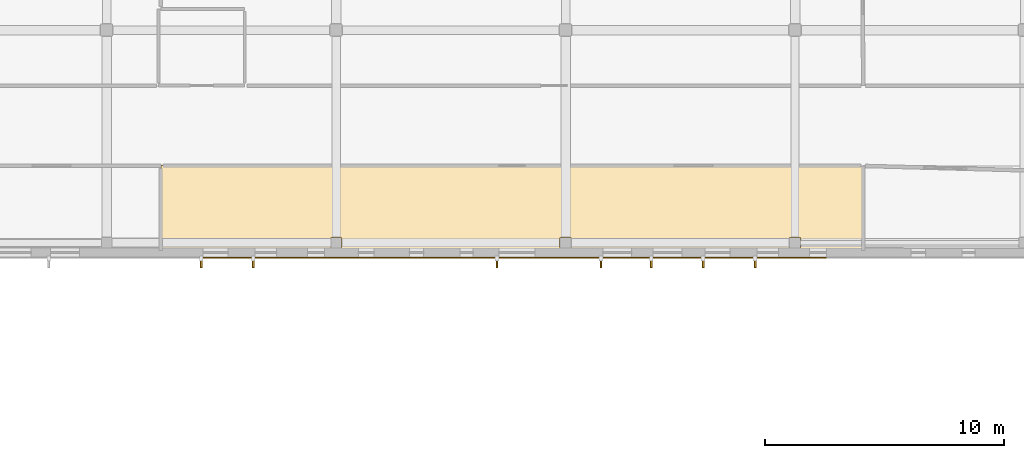
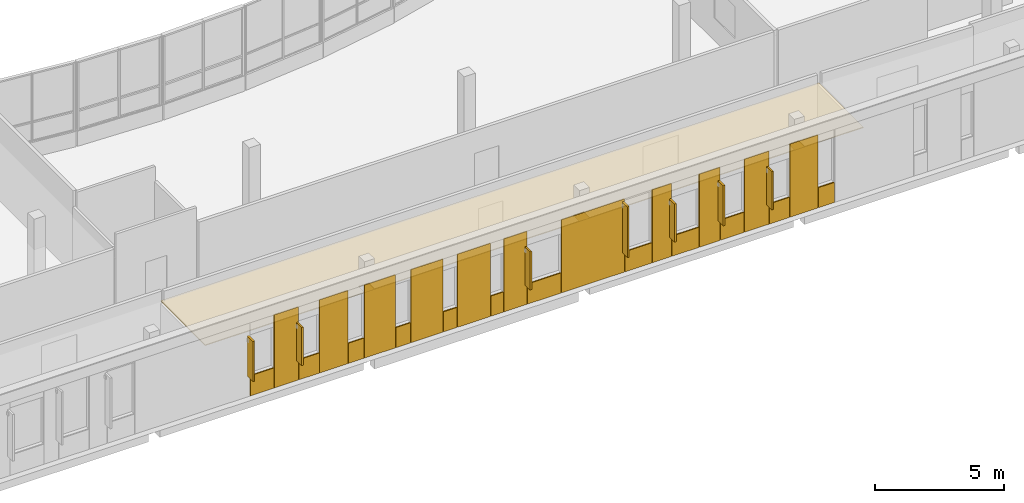
# One storey, part 69 of 84: 24 coverings, 7 shading devices.
"""IFC4 building model written with IfcOpenShell, lengths in metres."""

from ifc_helpers import new_model, si_unit, direction, frame, origin, origin_2d, place, context, subcontext, project, spatial, polyline, rectangle, outline, extrude, material, layer, layer_set, type_object, element, save


model = new_model("IFC4")

# Units and contexts
model_context = context("Model", 3, precision=1e-05, world=origin(), true_north=direction((0.0, 1.0)))
body_context = subcontext(model_context, "Body", "Model", "MODEL_VIEW")
ifc_project = project(units=[si_unit("LENGTHUNIT", "METRE"), si_unit("AREAUNIT", "SQUARE_METRE"), si_unit("VOLUMEUNIT", "CUBIC_METRE"), si_unit("PLANEANGLEUNIT", "RADIAN"), si_unit("MASSUNIT", "GRAM", prefix="KILO")], contexts=[model_context])

# Site, building, storey
site_placement = place(None, origin())
site = spatial("IfcSite", under=ifc_project, at=site_placement, CompositionType="ELEMENT")
building_placement = place(site_placement, origin())
building = spatial("IfcBuilding", under=site, at=building_placement, Name="Mzevani Central Library", CompositionType="ELEMENT")
storey_placement = place(building_placement, frame((0.0, 0.0, 5.39990234375)))
storey = spatial("IfcBuildingStorey", under=building, at=storey_placement, Name="L01", CompositionType="ELEMENT", Elevation=5.39990234375)

# Shading devices
ifc_material_1 = material(Name="Anodized architectural bronze")
shading_device_type = type_object("IfcShadingDeviceType", Name="Anodized Bronze Vertical Sun-Breaker Fin", PredefinedType="USERDEFINED", material=ifc_material_1)
shading_device_1_placement = place(storey_placement, frame((100.72998046875, 42.27490234375, 0.9501953125), z_axis=(0.0, 0.0, 1.0), x_axis=(-1.0, 0.0, 0.0)))
element("IfcShadingDevice", 1, at=shading_device_1_placement, inside=storey, type_object=shading_device_type, Name="L01 V1 Solar Fin (56)", ObjectType="SOLAR FIN", PredefinedType="USERDEFINED", context=body_context, shape_type="SweptSolid", body=[
    extrude(rectangle(XDim=0.080078125, YDim=0.449951171875, at=origin_2d()), origin(), (0.0, 0.0, 1.0), 1.800048828125),
])
shading_device_2_placement = place(storey_placement, frame((98.554931640625, 42.27490234375, 0.9501953125), z_axis=(0.0, 0.0, 1.0), x_axis=(-1.0, 0.0, 0.0)))
element("IfcShadingDevice", 2, at=shading_device_2_placement, inside=storey, type_object=shading_device_type, Name="L01 V1 Solar Fin (57)", ObjectType="SOLAR FIN", PredefinedType="USERDEFINED", context=body_context, shape_type="SweptSolid", body=[
    extrude(rectangle(XDim=0.080078125, YDim=0.449951171875, at=origin_2d()), origin(), (0.0, 0.0, 1.0), 1.89990234375),
])
shading_device_3_placement = place(storey_placement, frame((96.3798828125, 42.27490234375, 0.9501953125), z_axis=(0.0, 0.0, 1.0), x_axis=(-1.0, 0.0, 0.0)))
element("IfcShadingDevice", 3, at=shading_device_3_placement, inside=storey, type_object=shading_device_type, Name="L01 V1 Solar Fin (58)", ObjectType="SOLAR FIN", PredefinedType="USERDEFINED", context=body_context, shape_type="SweptSolid", body=[
    extrude(rectangle(XDim=0.080078125, YDim=0.449951171875, at=origin_2d()), origin(), (0.0, 0.0, 1.0), 1.800048828125),
])
shading_device_4_placement = place(storey_placement, frame((94.280029296875, 42.27490234375, 0.9501953125), z_axis=(0.0, 0.0, 1.0), x_axis=(-1.0, 0.0, 0.0)))
element("IfcShadingDevice", 4, at=shading_device_4_placement, inside=storey, type_object=shading_device_type, Name="L01 V1 Solar Fin (59)", ObjectType="SOLAR FIN", PredefinedType="USERDEFINED", context=body_context, shape_type="SweptSolid", body=[
    extrude(rectangle(XDim=0.080078125, YDim=0.449951171875, at=origin_2d()), origin(), (0.0, 0.0, 1.0), 2.39990234375),
])
for number, where, z_axis, x_axis, name in (
    (5, (89.929931640625, 42.27490234375, 0.9501953125), (0.0, 0.0, 1.0), (-1.0, 0.0, 0.0), "L01 V1 Solar Fin (60)"),
    (6, (79.72998046875, 42.27490234375, 0.9501953125), (0.0, 0.0, 1.0), (-1.0, 0.0, 0.0), "L01 V1 Solar Fin (65)"),
):
    element("IfcShadingDevice", number, at=place(storey_placement, frame(where, z_axis=z_axis, x_axis=x_axis)), inside=storey, type_object=shading_device_type, Name=name, ObjectType="SOLAR FIN", PredefinedType="USERDEFINED", context=body_context, shape_type="SweptSolid", body=[
        extrude(rectangle(XDim=0.080078125, YDim=0.449951171875, at=origin_2d()), origin(), (0.0, 0.0, 1.0), 1.800048828125),
    ])
shading_device_5_placement = place(storey_placement, frame((77.554931640625, 42.27490234375, 0.9501953125), z_axis=(0.0, 0.0, 1.0), x_axis=(-1.0, 0.0, 0.0)))
element("IfcShadingDevice", 7, at=shading_device_5_placement, inside=storey, type_object=shading_device_type, Name="L01 V1 Solar Fin (66)", ObjectType="SOLAR FIN", PredefinedType="USERDEFINED", context=body_context, shape_type="SweptSolid", body=[
    extrude(rectangle(XDim=0.080078125, YDim=0.449951171875, at=origin_2d()), origin(), (0.0, 0.0, 1.0), 1.89990234375),
])

# Coverings
ifc_material_2 = material(Name="Limestone ashlar cladding", Category="masonry")
ifc_layer_1 = layer(ifc_material_2, 0.050048828125, Name="Limestone Ashlar Spandrel Cladding")
ifc_layer_set_1 = layer_set([ifc_layer_1], Name="Limestone ashlar cladding")
covering_type_1 = type_object("IfcCoveringType", Name="Limestone Ashlar Spandrel Cladding", PredefinedType="CLADDING", material=ifc_layer_set_1)
covering_1_placement = place(storey_placement, frame((103.360107421875, 42.47607421875, 0.0), z_axis=(0.0, 0.0, 1.0), x_axis=(-1.0, 0.0, 0.0)))
element("IfcCovering", 8, at=covering_1_placement, inside=storey, type_object=covering_type_1, Name="L01 Warm-White Sill Cladding 29 (EW4-V1-L01-0006)", PredefinedType="CLADDING", context=body_context, shape_type="SweptSolid", body=[
    extrude(rectangle(XDim=0.699951171875, YDim=0.050048828125, at=origin_2d()), origin(), (0.0, 0.0, 1.0), 0.949951171875),
])
covering_2_placement = place(storey_placement, frame((102.360107421875, 42.47607421875, 0.0), z_axis=(0.0, 0.0, 1.0), x_axis=(-1.0, 0.0, 0.0)))
element("IfcCovering", 9, at=covering_2_placement, inside=storey, type_object=covering_type_1, Name="L01 Warm-White Facade Pier 30 (EW4-V1-L01-0006)", PredefinedType="CLADDING", context=body_context, shape_type="SweptSolid", body=[
    extrude(rectangle(XDim=1.260009765625, YDim=0.050048828125, at=origin_2d()), origin(), (0.0, 0.0, 1.0), 3.449951171875),
])
covering_3_placement = place(storey_placement, frame((101.260009765625, 42.47607421875, 0.0), z_axis=(0.0, 0.0, 1.0), x_axis=(-1.0, 0.0, 0.0)))
element("IfcCovering", 10, at=covering_3_placement, inside=storey, type_object=covering_type_1, Name="L01 Warm-White Sill Cladding 31 (EW4-V1-L01-0006)", PredefinedType="CLADDING", context=body_context, shape_type="SweptSolid", body=[
    extrude(rectangle(XDim=0.89990234375, YDim=0.050048828125, at=origin_2d()), origin(), (0.0, 0.0, 1.0), 0.949951171875),
])
covering_4_placement = place(storey_placement, frame((100.24755859375, 42.47607421875, 0.0), z_axis=(0.0, 0.0, 1.0), x_axis=(-1.0, 0.0, 0.0)))
element("IfcCovering", 11, at=covering_4_placement, inside=storey, type_object=covering_type_1, Name="L01 Warm-White Facade Pier 32 (EW4-V1-L01-0006)", PredefinedType="CLADDING", context=body_context, shape_type="SweptSolid", body=[
    extrude(rectangle(XDim=1.0849609375, YDim=0.050048828125, at=origin_2d()), origin(), (0.0, 0.0, 1.0), 3.449951171875),
])
covering_5_placement = place(storey_placement, frame((99.159912109375, 42.47607421875, 0.0), z_axis=(0.0, 0.0, 1.0), x_axis=(-1.0, 0.0, 0.0)))
element("IfcCovering", 12, at=covering_5_placement, inside=storey, type_object=covering_type_1, Name="L01 Warm-White Sill Cladding 33 (EW4-V1-L01-0006)", PredefinedType="CLADDING", context=body_context, shape_type="SweptSolid", body=[
    extrude(rectangle(XDim=1.050048828125, YDim=0.050048828125, at=origin_2d()), origin(), (0.0, 0.0, 1.0), 0.949951171875),
])
covering_6_placement = place(storey_placement, frame((98.1474609375, 42.47607421875, 0.0), z_axis=(0.0, 0.0, 1.0), x_axis=(-1.0, 0.0, 0.0)))
element("IfcCovering", 13, at=covering_6_placement, inside=storey, type_object=covering_type_1, Name="L01 Warm-White Facade Pier 34 (EW4-V1-L01-0006)", PredefinedType="CLADDING", context=body_context, shape_type="SweptSolid", body=[
    extrude(rectangle(XDim=0.93505859375, YDim=0.050048828125, at=origin_2d()), origin(), (0.0, 0.0, 1.0), 3.449951171875),
])
covering_7_placement = place(storey_placement, frame((97.06005859375, 42.47607421875, 0.0), z_axis=(0.0, 0.0, 1.0), x_axis=(-1.0, 0.0, 0.0)))
element("IfcCovering", 14, at=covering_7_placement, inside=storey, type_object=covering_type_1, Name="L01 Warm-White Sill Cladding 35 (EW4-V1-L01-0006)", PredefinedType="CLADDING", context=body_context, shape_type="SweptSolid", body=[
    extrude(rectangle(XDim=1.199951171875, YDim=0.050048828125, at=origin_2d()), origin(), (0.0, 0.0, 1.0), 0.949951171875),
])
covering_8_placement = place(storey_placement, frame((96.010009765625, 42.47607421875, 0.0), z_axis=(0.0, 0.0, 1.0), x_axis=(-1.0, 0.0, 0.0)))
element("IfcCovering", 15, at=covering_8_placement, inside=storey, type_object=covering_type_1, Name="L01 Warm-White Facade Pier 36 (EW4-V1-L01-0006)", PredefinedType="CLADDING", context=body_context, shape_type="SweptSolid", body=[
    extrude(rectangle(XDim=0.860107421875, YDim=0.050048828125, at=origin_2d()), origin(), (0.0, 0.0, 1.0), 3.449951171875),
])
covering_9_placement = place(storey_placement, frame((94.9599609375, 42.47607421875, 0.0), z_axis=(0.0, 0.0, 1.0), x_axis=(-1.0, 0.0, 0.0)))
element("IfcCovering", 16, at=covering_9_placement, inside=storey, type_object=covering_type_1, Name="L01 Warm-White Sill Cladding 37 (EW4-V1-L01-0006)", PredefinedType="CLADDING", context=body_context, shape_type="SweptSolid", body=[
    extrude(rectangle(XDim=1.199951171875, YDim=0.050048828125, at=origin_2d()), origin(), (0.0, 0.0, 1.0), 0.949951171875),
])
covering_10_placement = place(storey_placement, frame((92.93505859375, 42.47607421875, 0.0), z_axis=(0.0, 0.0, 1.0), x_axis=(-1.0, 0.0, 0.0)))
element("IfcCovering", 17, at=covering_10_placement, inside=storey, type_object=covering_type_1, Name="L01 Warm-White Facade Pier 38 (EW4-V1-L01-0006)", PredefinedType="CLADDING", context=body_context, shape_type="SweptSolid", body=[
    extrude(rectangle(XDim=2.81005859375, YDim=0.050048828125, at=origin_2d()), origin(), (0.0, 0.0, 1.0), 3.449951171875),
])
covering_11_placement = place(storey_placement, frame((90.760009765625, 42.47607421875, 0.0), z_axis=(0.0, 0.0, 1.0), x_axis=(-1.0, 0.0, 0.0)))
element("IfcCovering", 18, at=covering_11_placement, inside=storey, type_object=covering_type_1, Name="L01 Warm-White Sill Cladding 39 (EW4-V1-L01-0006)", PredefinedType="CLADDING", context=body_context, shape_type="SweptSolid", body=[
    extrude(rectangle(XDim=1.5, YDim=0.050048828125, at=origin_2d()), origin(), (0.0, 0.0, 1.0), 0.949951171875),
])
covering_12_placement = place(storey_placement, frame((89.472412109375, 42.47607421875, 0.0), z_axis=(0.0, 0.0, 1.0), x_axis=(-1.0, 0.0, 0.0)))
element("IfcCovering", 19, at=covering_12_placement, inside=storey, type_object=covering_type_1, Name="L01 Warm-White Facade Pier 40 (EW4-V1-L01-0006)", PredefinedType="CLADDING", context=body_context, shape_type="SweptSolid", body=[
    extrude(rectangle(XDim=1.034912109375, YDim=0.050048828125, at=origin_2d()), origin(), (0.0, 0.0, 1.0), 3.449951171875),
])
covering_13_placement = place(storey_placement, frame((88.659912109375, 42.47607421875, 0.0), z_axis=(0.0, 0.0, 1.0), x_axis=(-1.0, 0.0, 0.0)))
element("IfcCovering", 20, at=covering_13_placement, inside=storey, type_object=covering_type_1, Name="L01 Warm-White Sill Cladding 41 (EW4-V1-L01-0006)", PredefinedType="CLADDING", context=body_context, shape_type="SweptSolid", body=[
    extrude(rectangle(XDim=0.550048828125, YDim=0.050048828125, at=origin_2d()), origin(), (0.0, 0.0, 1.0), 0.949951171875),
])
covering_14_placement = place(storey_placement, frame((87.62255859375, 42.47607421875, 0.0), z_axis=(0.0, 0.0, 1.0), x_axis=(-1.0, 0.0, 0.0)))
element("IfcCovering", 21, at=covering_14_placement, inside=storey, type_object=covering_type_1, Name="L01 Warm-White Facade Pier 42 (EW4-V1-L01-0006)", PredefinedType="CLADDING", context=body_context, shape_type="SweptSolid", body=[
    extrude(rectangle(XDim=1.485107421875, YDim=0.050048828125, at=origin_2d()), origin(), (0.0, 0.0, 1.0), 3.449951171875),
])
covering_15_placement = place(storey_placement, frame((86.56005859375, 42.47607421875, 0.0), z_axis=(0.0, 0.0, 1.0), x_axis=(-1.0, 0.0, 0.0)))
element("IfcCovering", 22, at=covering_15_placement, inside=storey, type_object=covering_type_1, Name="L01 Warm-White Sill Cladding 43 (EW4-V1-L01-0006)", PredefinedType="CLADDING", context=body_context, shape_type="SweptSolid", body=[
    extrude(rectangle(XDim=0.60009765625, YDim=0.050048828125, at=origin_2d()), origin(), (0.0, 0.0, 1.0), 0.949951171875),
])
covering_16_placement = place(storey_placement, frame((85.5224609375, 42.47607421875, 0.0), z_axis=(0.0, 0.0, 1.0), x_axis=(-1.0, 0.0, 0.0)))
element("IfcCovering", 23, at=covering_16_placement, inside=storey, type_object=covering_type_1, Name="L01 Warm-White Facade Pier 44 (EW4-V1-L01-0006)", PredefinedType="CLADDING", context=body_context, shape_type="SweptSolid", body=[
    extrude(rectangle(XDim=1.43505859375, YDim=0.050048828125, at=origin_2d()), origin(), (0.0, 0.0, 1.0), 3.449951171875),
])
covering_17_placement = place(storey_placement, frame((84.4599609375, 42.47607421875, 0.0), z_axis=(0.0, 0.0, 1.0), x_axis=(-1.0, 0.0, 0.0)))
element("IfcCovering", 24, at=covering_17_placement, inside=storey, type_object=covering_type_1, Name="L01 Warm-White Sill Cladding 45 (EW4-V1-L01-0006)", PredefinedType="CLADDING", context=body_context, shape_type="SweptSolid", body=[
    extrude(rectangle(XDim=0.64990234375, YDim=0.050048828125, at=origin_2d()), origin(), (0.0, 0.0, 1.0), 0.949951171875),
])
covering_18_placement = place(storey_placement, frame((83.422607421875, 42.47607421875, 0.0), z_axis=(0.0, 0.0, 1.0), x_axis=(-1.0, 0.0, 0.0)))
element("IfcCovering", 25, at=covering_18_placement, inside=storey, type_object=covering_type_1, Name="L01 Warm-White Facade Pier 46 (EW4-V1-L01-0006)", PredefinedType="CLADDING", context=body_context, shape_type="SweptSolid", body=[
    extrude(rectangle(XDim=1.385009765625, YDim=0.050048828125, at=origin_2d()), origin(), (0.0, 0.0, 1.0), 3.449951171875),
])
covering_19_placement = place(storey_placement, frame((82.360107421875, 42.47607421875, 0.0), z_axis=(0.0, 0.0, 1.0), x_axis=(-1.0, 0.0, 0.0)))
element("IfcCovering", 26, at=covering_19_placement, inside=storey, type_object=covering_type_1, Name="L01 Warm-White Sill Cladding 47 (EW4-V1-L01-0006)", PredefinedType="CLADDING", context=body_context, shape_type="SweptSolid", body=[
    extrude(rectangle(XDim=0.699951171875, YDim=0.050048828125, at=origin_2d()), origin(), (0.0, 0.0, 1.0), 0.949951171875),
])
covering_20_placement = place(storey_placement, frame((81.360107421875, 42.47607421875, 0.0), z_axis=(0.0, 0.0, 1.0), x_axis=(-1.0, 0.0, 0.0)))
element("IfcCovering", 27, at=covering_20_placement, inside=storey, type_object=covering_type_1, Name="L01 Warm-White Facade Pier 48 (EW4-V1-L01-0006)", PredefinedType="CLADDING", context=body_context, shape_type="SweptSolid", body=[
    extrude(rectangle(XDim=1.260009765625, YDim=0.050048828125, at=origin_2d()), origin(), (0.0, 0.0, 1.0), 3.449951171875),
])
covering_21_placement = place(storey_placement, frame((80.260009765625, 42.47607421875, 0.0), z_axis=(0.0, 0.0, 1.0), x_axis=(-1.0, 0.0, 0.0)))
element("IfcCovering", 28, at=covering_21_placement, inside=storey, type_object=covering_type_1, Name="L01 Warm-White Sill Cladding 49 (EW4-V1-L01-0006)", PredefinedType="CLADDING", context=body_context, shape_type="SweptSolid", body=[
    extrude(rectangle(XDim=0.89990234375, YDim=0.050048828125, at=origin_2d()), origin(), (0.0, 0.0, 1.0), 0.949951171875),
])
covering_22_placement = place(storey_placement, frame((79.24755859375, 42.47607421875, 0.0), z_axis=(0.0, 0.0, 1.0), x_axis=(-1.0, 0.0, 0.0)))
element("IfcCovering", 29, at=covering_22_placement, inside=storey, type_object=covering_type_1, Name="L01 Warm-White Facade Pier 50 (EW4-V1-L01-0006)", PredefinedType="CLADDING", context=body_context, shape_type="SweptSolid", body=[
    extrude(rectangle(XDim=1.0849609375, YDim=0.050048828125, at=origin_2d()), origin(), (0.0, 0.0, 1.0), 3.449951171875),
])
covering_23_placement = place(storey_placement, frame((78.159912109375, 42.47607421875, 0.0), z_axis=(0.0, 0.0, 1.0), x_axis=(-1.0, 0.0, 0.0)))
element("IfcCovering", 30, at=covering_23_placement, inside=storey, type_object=covering_type_1, Name="L01 Warm-White Sill Cladding 51 (EW4-V1-L01-0006)", PredefinedType="CLADDING", context=body_context, shape_type="SweptSolid", body=[
    extrude(rectangle(XDim=1.050048828125, YDim=0.050048828125, at=origin_2d()), origin(), (0.0, 0.0, 1.0), 0.949951171875),
])
ifc_material_3 = material(Name="Mineral wool acoustic ceiling")
ifc_layer_2 = layer(ifc_material_3, 0.0400390625, Name="Perforated Timber Acoustic Ceiling")
ifc_layer_set_2 = layer_set([ifc_layer_2], Name="Mineral wool acoustic ceiling")
covering_type_2 = type_object("IfcCoveringType", Name="Perforated Timber Acoustic Ceiling", PredefinedType="CEILING", material=ifc_layer_set_2)
covering_24_placement = place(storey_placement, frame((0.0, 0.0, 2.72998046875)))
element("IfcCovering", 31, at=covering_24_placement, inside=storey, type_object=covering_type_2, Name="L01 Collaborative Group Study Room A Acoustic Ceiling", PredefinedType="CEILING", context=body_context, shape_type="SweptSolid", body=[
    extrude(outline(polyline([(105.260009765625, 46.321044921875), (105.2509765625, 42.8701171875), (75.864990234375, 42.8701171875), (75.85498046875, 42.87890625), (75.864013671875, 46.330078125), (105.260009765625, 46.321044921875)]), holes=[polyline([(82.97509765625, 42.875), (83.425048828125, 42.875), (83.425048828125, 43.324951171875), (82.97509765625, 43.324951171875), (82.97509765625, 42.875)]), polyline([(92.574951171875, 43.324951171875), (92.574951171875, 42.875), (93.02490234375, 42.875), (93.02490234375, 43.324951171875), (92.574951171875, 43.324951171875)]), polyline([(102.625, 43.324951171875), (102.175048828125, 43.324951171875), (102.175048828125, 42.875), (102.625, 42.875), (102.625, 43.324951171875)])]), origin(), (0.0, 0.0, 1.0), 0.0400390625),
])

save(model, "model.ifc")
